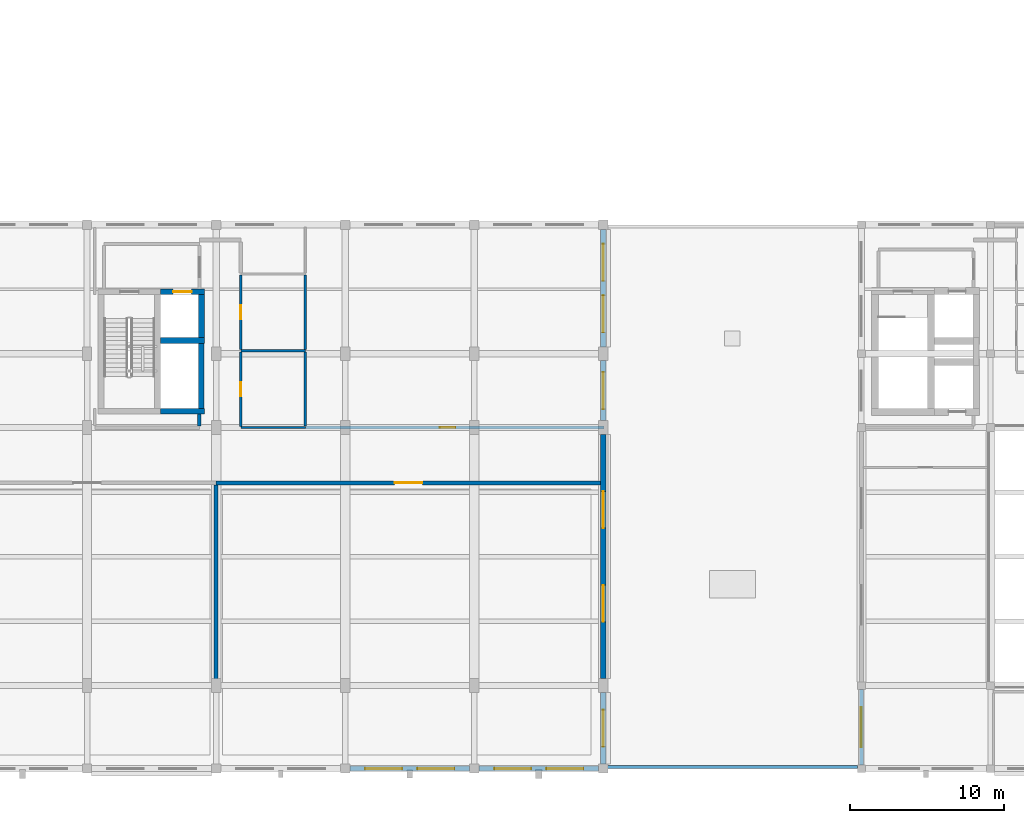
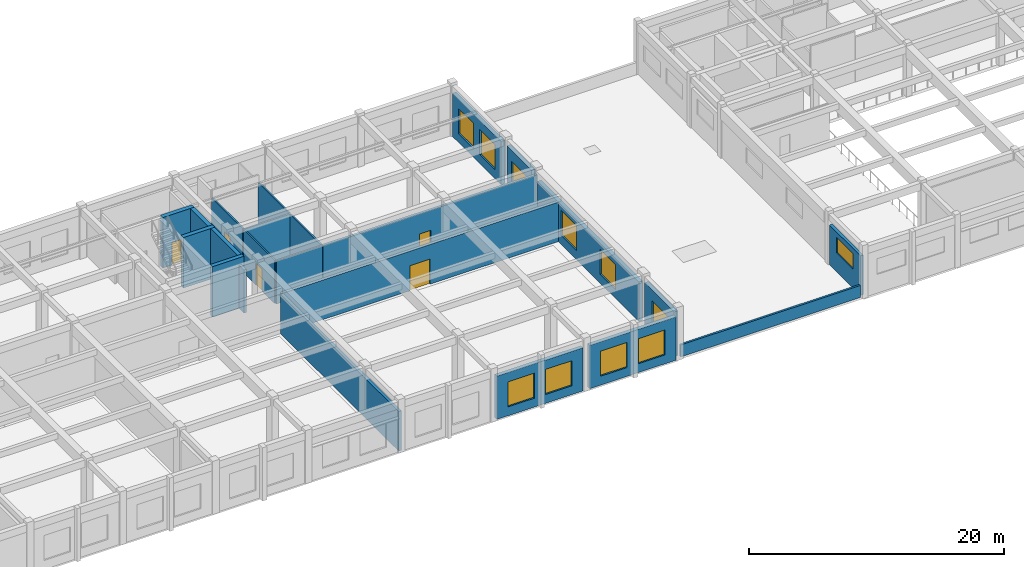
# One storey, part 59 of 77: 23 walls, 11 windows, 5 doors, 16 openings.
"""IFC4 building model written with IfcOpenShell, lengths in metres."""

import ifcopenshell
import ifcopenshell.guid

model = None  # the IFC model being written
_history = None  # IfcOwnerHistory: only IFC2X3 demands one
_inside = {}  # id of a spatial element -> (the spatial element, [elements in it])
_under = {}  # id of a project, library or spatial element -> (it, [spatial elements below it])
_declared = {}  # id of a project -> (the project, [libraries it declares])
_typed = {}  # id of a type object -> (the type object, [elements of that type])
_made_of = {}  # id of a material, layer set ... -> (it, [elements and type objects made of it])


def new_model(schema):
    """Start an empty IFC model of exactly this schema.

    Asked for "IFC4X3", IfcOpenShell would pick the latest addendum, in which some entities
    have other attributes; the version numbers below select the first issue.
    IFC2X3 requires an IfcOwnerHistory on every rooted entity: one is made here for all.
    """
    global model, _history
    if schema == "IFC4X3":
        model = ifcopenshell.file(schema_version=(4, 3, 0, 0))
    else:
        model = ifcopenshell.file(schema=schema)
    _inside.clear()
    _under.clear()
    _declared.clear()
    _typed.clear()
    _made_of.clear()
    _history = None
    if model.schema == "IFC2X3":
        org = make("IfcOrganization", Name="unknown")
        user = make(
            "IfcPersonAndOrganization",
            ThePerson=make("IfcPerson", FamilyName="unknown"),
            TheOrganization=org,
        )
        app = make(
            "IfcApplication",
            ApplicationDeveloper=org,
            Version="unknown",
            ApplicationFullName="unknown",
            ApplicationIdentifier="unknown",
        )
        _history = make(
            "IfcOwnerHistory",
            OwningUser=user,
            OwningApplication=app,
            ChangeAction="ADDED",
            CreationDate=0,
        )
    return model


def make(cls, **values):
    """One entity of the class cls with the attributes given. An attribute that is None is left unset."""
    return model.create_entity(
        cls, **{name: value for name, value in values.items() if value is not None}
    )


def rooted(cls, **values):
    """An entity with a GlobalId (a new one), such as an element, a storey or a relation."""
    return make(cls, GlobalId=ifcopenshell.guid.new(), OwnerHistory=_history, **values)


def si_unit(unit_type, name, prefix=None):
    """IfcSIUnit, for example si_unit("LENGTHUNIT", "METRE", prefix="MILLI")."""
    return make("IfcSIUnit", UnitType=unit_type, Prefix=prefix, Name=name)


def assignment(units):
    """IfcUnitAssignment: the units of a project."""
    return None if units is None else make("IfcUnitAssignment", Units=units)


def point(xyz):
    """IfcCartesianPoint."""
    return None if xyz is None else make("IfcCartesianPoint", Coordinates=xyz)


def direction(xyz):
    """IfcDirection."""
    return None if xyz is None else make("IfcDirection", DirectionRatios=xyz)


def frame(location, z_axis=None, x_axis=None):
    """IfcAxis2Placement3D, a coordinate frame: its origin and axes. An axis left out is left unset."""
    return make(
        "IfcAxis2Placement3D",
        Location=point(location),
        Axis=direction(z_axis),
        RefDirection=direction(x_axis),
    )


def frame_2d(location, x_axis=None):
    """IfcAxis2Placement2D, a coordinate frame in the plane: its origin and x axis."""
    return make(
        "IfcAxis2Placement2D", Location=point(location), RefDirection=direction(x_axis)
    )


def origin():
    """The frame at (0, 0, 0) with its axes left unset."""
    return frame((0.0, 0.0, 0.0))


def place(relative_to, where):
    """IfcLocalPlacement: puts the frame where relative to a parent placement (None: the world)."""
    return make(
        "IfcLocalPlacement", PlacementRelTo=relative_to, RelativePlacement=where
    )


def context(
    kind, dimensions, precision=None, world=None, true_north=None, identifier=None
):
    """IfcGeometricRepresentationContext, for example the 3D "Model" context."""
    return make(
        "IfcGeometricRepresentationContext",
        ContextIdentifier=identifier,
        ContextType=kind,
        CoordinateSpaceDimension=dimensions,
        Precision=precision,
        WorldCoordinateSystem=world,
        TrueNorth=true_north,
    )


def subcontext(parent, identifier, kind, view, scale=None):
    """IfcGeometricRepresentationSubContext, for example "Body" below "Model"."""
    return make(
        "IfcGeometricRepresentationSubContext",
        ContextIdentifier=identifier,
        ContextType=kind,
        ParentContext=parent,
        TargetScale=scale,
        TargetView=view,
    )


def project(units=None, contexts=None):
    """IfcProject with its units and contexts."""
    return rooted(
        "IfcProject",
        Name="project",
        RepresentationContexts=contexts,
        UnitsInContext=assignment(units),
    )


def spatial(cls, under=None, at=None, **own):
    """A site, building, storey or space (cls), placed at a placement, below another one or the project."""
    s = rooted(cls, ObjectPlacement=at, **own)
    if under is not None:
        _under.setdefault(under.id(), (under, []))[1].append(s)
    return s


def profile(cls, at=None, kind="AREA", **sizes):
    """A parametric profile (cls). Its sizes go by their IFC names, for example OverallWidth=200.0."""
    return make(cls, ProfileType=kind, Position=at, **sizes)


def rectangle(**sizes):
    """IfcRectangleProfileDef."""
    return profile("IfcRectangleProfileDef", **sizes)


def extrude(swept, where, along, depth):
    """IfcExtrudedAreaSolid: the profile swept, set in the frame where, extruded along a direction by depth."""
    return make(
        "IfcExtrudedAreaSolid",
        SweptArea=swept,
        Position=where,
        ExtrudedDirection=direction(along),
        Depth=depth,
    )


def shape(context_of_items, identifier, shape_type, items):
    """IfcShapeRepresentation: the items that make up one representation, for example the "Body"."""
    return make(
        "IfcShapeRepresentation",
        ContextOfItems=context_of_items,
        RepresentationIdentifier=identifier,
        RepresentationType=shape_type,
        Items=items,
    )


def material(Name=None, Category=None):
    """IfcMaterial."""
    return make("IfcMaterial", Name=Name, Category=Category)


def layer(
    of_material, thickness, ventilated=None, Name=None, Category=None, Priority=None
):
    """IfcMaterialLayer: one layer of a wall or slab, of a material (None: an air gap)."""
    return make(
        "IfcMaterialLayer",
        Material=of_material,
        LayerThickness=thickness,
        IsVentilated=ventilated,
        Name=Name,
        Category=Category,
        Priority=Priority,
    )


def layer_set(layers, Name=None):
    """IfcMaterialLayerSet."""
    return make("IfcMaterialLayerSet", MaterialLayers=layers, LayerSetName=Name)


def made_of(thing, what):
    """Note that an element or type object is made of a material, layer set ...; save() writes the relation."""
    if what is not None:
        _made_of.setdefault(what.id(), (what, []))[1].append(thing)
    return thing


def type_object(cls, material=None, **own):
    """A type object (cls), such as IfcWallType, which elements share."""
    return made_of(rooted(cls, **own), material)


def element(
    cls,
    number,
    at=None,
    inside=None,
    cuts=None,
    type_object=None,
    material=None,
    context=None,
    identifier="Body",
    shape_type=None,
    held_by="IfcProductDefinitionShape",
    body=None,
    shapes=None,
    **own,
):
    """One element of the class cls, such as IfcWall. Its Tag is "e" and its number.

    at: its placement. inside: the storey or other place that contains it. cuts: it is an
    opening in that element (IfcRelVoidsElement). A single representation is given by context,
    identifier, shape_type and body (its items); several are given by shapes. held_by: the class
    of the entity that holds the representations. save() writes the other relations.
    """
    e = rooted(cls, Tag="e%d" % number, ObjectPlacement=at, **own)
    if body is not None:
        shapes = [shape(context, identifier, shape_type, body)]
    if shapes is not None:
        e.Representation = make(held_by, Representations=shapes)
    if inside is not None:
        _inside.setdefault(inside.id(), (inside, []))[1].append(e)
    if cuts is not None:
        rooted(
            "IfcRelVoidsElement", RelatingBuildingElement=cuts, RelatedOpeningElement=e
        )
    if type_object is not None:
        _typed.setdefault(type_object.id(), (type_object, []))[1].append(e)
    return made_of(e, material)


def fill(opening, filler):
    """IfcRelFillsElement: the door or window that sits in an opening."""
    return rooted(
        "IfcRelFillsElement",
        RelatingOpeningElement=opening,
        RelatedBuildingElement=filler,
    )


def aggregate(whole, parts):
    """IfcRelAggregates: a whole, such as a stair, and the parts it consists of."""
    return rooted("IfcRelAggregates", RelatingObject=whole, RelatedObjects=parts)


def save(model, path):
    """Write the relations noted so far, then the file.

    IfcRelAggregates (storeys below a building ...), IfcRelContainedInSpatialStructure (elements
    in a storey), IfcRelDefinesByType, IfcRelAssociatesMaterial and IfcRelDeclares: one each for
    every whole, place, type object, material and project.
    """
    for whole, parts in _under.values():
        aggregate(whole, parts)
    for where, things in _inside.values():
        rooted(
            "IfcRelContainedInSpatialStructure",
            RelatedElements=things,
            RelatingStructure=where,
        )
    for kind, things in _typed.values():
        rooted("IfcRelDefinesByType", RelatedObjects=things, RelatingType=kind)
    for what, things in _made_of.values():
        rooted("IfcRelAssociatesMaterial", RelatedObjects=things, RelatingMaterial=what)
    for by, libraries in _declared.values():
        rooted("IfcRelDeclares", RelatingContext=by, RelatedDefinitions=libraries)
    model.write(path)


model = new_model("IFC4")

# Units and contexts
model_context = context("Model", 3, precision=1e-05, world=origin(), true_north=direction((0.0, 1.0)))
body_context = subcontext(model_context, "Body", "Model", "MODEL_VIEW")
ifc_project = project(units=[si_unit("LENGTHUNIT", "METRE"), si_unit("AREAUNIT", "SQUARE_METRE"), si_unit("VOLUMEUNIT", "CUBIC_METRE"), si_unit("PLANEANGLEUNIT", "RADIAN"), si_unit("MASSUNIT", "GRAM", prefix="KILO")], contexts=[model_context])

# Site, building, storey
site_placement = place(None, origin())
site = spatial("IfcSite", under=ifc_project, at=site_placement, CompositionType="ELEMENT")
building_placement = place(site_placement, origin())
building = spatial("IfcBuilding", under=site, at=building_placement, Name="Krzemoval Escarpment Law Courts", CompositionType="ELEMENT")
storey_placement = place(building_placement, frame((0.0, 0.0, 15.300048828125)))
storey = spatial("IfcBuildingStorey", under=building, at=storey_placement, Name="L03", CompositionType="ELEMENT", Elevation=15.300048828125)

# Wall, opening, window
ifc_material_1 = material(Name="Precast concrete C40/50", Category="concrete")
ifc_layer_1 = layer(ifc_material_1, 0.260009765625)
ifc_layer_set_1 = layer_set([ifc_layer_1], Name="Precast concrete C40/50")
wall_type_1 = type_object("IfcWallType", Name="WL-EXT-260", PredefinedType="SOLIDWALL", material=ifc_layer_set_1)
wall_1_placement = place(storey_placement, frame((109.199951171875, 0.25, 0.0), z_axis=(0.0, 0.0, 1.0), x_axis=(0.0, 1.0, 0.0)))
wall_1 = element("IfcWall", 1, at=wall_1_placement, inside=storey, type_object=wall_type_1, Name="Exterior Wall EW-L03-0369", PredefinedType="SOLIDWALL", context=body_context, shape_type="SweptSolid", body=[
    extrude(rectangle(XDim=4.89990234375, YDim=0.260009765625, at=frame_2d((2.449951171875, 0.0))), origin(), (0.0, 0.0, 1.0), 3.7900390625),
])
opening_1_placement = place(wall_1_placement, frame((1.14990234375, 0.0, 1.800048828125)))
opening_1 = element("IfcOpeningElement", 2, at=opening_1_placement, cuts=wall_1, Name="Opening WN-L03-0422", PredefinedType="OPENING", context=body_context, shape_type="SweptSolid", body=[
    extrude(rectangle(XDim=2.60009765625, YDim=1.5, at=frame_2d((1.300048828125, 0.75))), frame((0.0, 0.145, 0.0), z_axis=(0.0, -1.0, 0.0), x_axis=(1.0, 0.0, 0.0)), (0.0, 0.0, 1.0), 0.29001),
])
ifc_material_2 = material(Name="Thermally Broken Aluminium Frame with Triple Low-E Acoustic Glass", Category="aluminium")
window_type_1 = type_object("IfcWindowType", Name="WN-2600x1500", PartitioningType="SINGLE_PANEL", PredefinedType="WINDOW", material=ifc_material_2)
window_1_placement = place(opening_1_placement, origin())
window_1 = element("IfcWindow", 3, at=window_1_placement, inside=storey, type_object=window_type_1, Name="Facade Window WN-L03-0422", OverallHeight=1.5, OverallWidth=2.60009765625, PartitioningType="SINGLE_PANEL", PredefinedType="WINDOW", context=body_context, shape_type="SweptSolid", body=[
    extrude(rectangle(XDim=2.60009765625, YDim=1.5, at=frame_2d((1.300048828125, 0.75))), frame((0.0, 0.030029296875, 0.0), z_axis=(0.0, -1.0, 0.0), x_axis=(1.0, 0.0, 0.0)), (0.0, 0.0, 1.0), 0.06005859375),
])
fill(opening_1, window_1)

# Wall, openings, windows
ifc_material_3 = material(Name="Precast concrete C40/50", Category="concrete")
ifc_layer_2 = layer(ifc_material_3, 0.340087890625)
ifc_layer_set_2 = layer_set([ifc_layer_2], Name="Precast concrete C40/50")
wall_type_2 = type_object("IfcWallType", Name="WL-EXT-340", PredefinedType="SOLIDWALL", material=ifc_layer_set_2)
wall_2_placement = place(storey_placement, frame((92.39990234375, 35.10009765625, 0.0), z_axis=(0.0, 0.0, 1.0), x_axis=(0.0, -1.0, 0.0)))
wall_2 = element("IfcWall", 4, at=wall_2_placement, inside=storey, type_object=wall_type_2, Name="Exterior Wall EW-L03-0341", PredefinedType="SOLIDWALL", context=body_context, shape_type="SweptSolid", body=[
    extrude(rectangle(XDim=7.650146484375, YDim=0.340087890625, at=frame_2d((3.8251953125, 0.0))), origin(), (0.0, 0.0, 1.0), 4.139892578125),
])
opening_2_placement = place(wall_2_placement, frame((0.949951171875, 0.0, 0.85009765625)))
opening_2 = element("IfcOpeningElement", 5, at=opening_2_placement, cuts=wall_2, Name="Opening WN-L03-0376", PredefinedType="OPENING", context=body_context, shape_type="SweptSolid", body=[
    extrude(rectangle(XDim=2.39990234375, YDim=2.39990234375, at=frame_2d((1.199951171875, 1.199951171875))), frame((0.0, 0.18504, 0.0), z_axis=(0.0, -1.0, 0.0), x_axis=(1.0, 0.0, 0.0)), (0.0, 0.0, 1.0), 0.37009),
])
opening_3_placement = place(wall_2_placement, frame((4.300048828125, 0.0, 0.85009765625)))
opening_3 = element("IfcOpeningElement", 6, at=opening_3_placement, cuts=wall_2, Name="Opening WN-L03-0377", PredefinedType="OPENING", context=body_context, shape_type="SweptSolid", body=[
    extrude(rectangle(XDim=2.39990234375, YDim=2.39990234375, at=frame_2d((1.199951171875, 1.199951171875))), frame((0.0, 0.18504, 0.0), z_axis=(0.0, -1.0, 0.0), x_axis=(1.0, 0.0, 0.0)), (0.0, 0.0, 1.0), 0.37009),
])
ifc_material_4 = material(Name="Thermally Broken Aluminium Frame with Triple Low-E Acoustic Glass", Category="aluminium")
window_type_2 = type_object("IfcWindowType", Name="WN-2400x2400", PartitioningType="SINGLE_PANEL", PredefinedType="WINDOW", material=ifc_material_4)
window_2_placement = place(opening_2_placement, origin())
window_2 = element("IfcWindow", 7, at=window_2_placement, inside=storey, type_object=window_type_2, Name="Facade Window WN-L03-0376", OverallHeight=2.39990234375, OverallWidth=2.39990234375, PartitioningType="SINGLE_PANEL", PredefinedType="WINDOW", context=body_context, shape_type="SweptSolid", body=[
    extrude(rectangle(XDim=2.39990234375, YDim=2.39990234375, at=frame_2d((1.199951171875, 1.199951171875))), frame((0.0, 0.030029296875, 0.0), z_axis=(0.0, -1.0, 0.0), x_axis=(1.0, 0.0, 0.0)), (0.0, 0.0, 1.0), 0.06005859375),
])
fill(opening_2, window_2)
window_3_placement = place(opening_3_placement, origin())
window_3 = element("IfcWindow", 8, at=window_3_placement, inside=storey, type_object=window_type_2, Name="Facade Window WN-L03-0377", OverallHeight=2.39990234375, OverallWidth=2.39990234375, PartitioningType="SINGLE_PANEL", PredefinedType="WINDOW", context=body_context, shape_type="SweptSolid", body=[
    extrude(rectangle(XDim=2.39990234375, YDim=2.39990234375, at=frame_2d((1.199951171875, 1.199951171875))), frame((0.0, 0.030029296875, 0.0), z_axis=(0.0, -1.0, 0.0), x_axis=(1.0, 0.0, 0.0)), (0.0, 0.0, 1.0), 0.06005859375),
])
fill(opening_3, window_3)

# Wall, opening, window
wall_3_placement = place(storey_placement, frame((92.39990234375, 26.550048828125, 0.0), z_axis=(0.0, 0.0, 1.0), x_axis=(0.0, -1.0, 0.0)))
wall_3 = element("IfcWall", 9, at=wall_3_placement, inside=storey, type_object=wall_type_2, Name="Exterior Wall EW-L03-0342", PredefinedType="SOLIDWALL", context=body_context, shape_type="SweptSolid", body=[
    extrude(rectangle(XDim=3.900146484375, YDim=0.340087890625, at=frame_2d((1.9501953125, 0.0))), origin(), (0.0, 0.0, 1.0), 4.2900390625),
])
opening_4_placement = place(wall_3_placement, frame((0.75, 0.0, 0.85009765625)))
opening_4 = element("IfcOpeningElement", 10, at=opening_4_placement, cuts=wall_3, Name="Opening WN-L03-0378", PredefinedType="OPENING", context=body_context, shape_type="SweptSolid", body=[
    extrude(rectangle(XDim=2.39990234375, YDim=2.39990234375, at=frame_2d((1.199951171875, 1.199951171875))), frame((0.0, 0.18504, 0.0), z_axis=(0.0, -1.0, 0.0), x_axis=(1.0, 0.0, 0.0)), (0.0, 0.0, 1.0), 0.37009),
])
window_4_placement = place(opening_4_placement, origin())
window_4 = element("IfcWindow", 11, at=window_4_placement, inside=storey, type_object=window_type_2, Name="Facade Window WN-L03-0378", OverallHeight=2.39990234375, OverallWidth=2.39990234375, PartitioningType="SINGLE_PANEL", PredefinedType="WINDOW", context=body_context, shape_type="SweptSolid", body=[
    extrude(rectangle(XDim=2.39990234375, YDim=2.39990234375, at=frame_2d((1.199951171875, 1.199951171875))), frame((0.0, 0.030029296875, 0.0), z_axis=(0.0, -1.0, 0.0), x_axis=(1.0, 0.0, 0.0)), (0.0, 0.0, 1.0), 0.06005859375),
])
fill(opening_4, window_4)

# Wall, openings, windows
wall_4_placement = place(storey_placement, frame((92.39990234375, 21.75, 0.0), z_axis=(0.0, 0.0, 1.0), x_axis=(0.0, -1.0, 0.0)))
wall_4 = element("IfcWall", 12, at=wall_4_placement, inside=storey, type_object=wall_type_2, Name="Exterior Wall EW-L03-0343", PredefinedType="SOLIDWALL", context=body_context, shape_type="SweptSolid", body=[
    extrude(rectangle(XDim=15.89990234375, YDim=0.340087890625, at=frame_2d((7.949951171875, 0.0))), origin(), (0.0, 0.0, 1.0), 3.7900390625),
])
opening_5_placement = place(wall_4_placement, frame((3.699951171875, 0.0, 0.85009765625)))
opening_5 = element("IfcOpeningElement", 13, at=opening_5_placement, cuts=wall_4, Name="Opening WN-L03-0379", PredefinedType="OPENING", context=body_context, shape_type="SweptSolid", body=[
    extrude(rectangle(XDim=2.39990234375, YDim=2.39990234375, at=frame_2d((1.199951171875, 1.199951171875))), frame((0.0, 0.18504, 0.0), z_axis=(0.0, -1.0, 0.0), x_axis=(1.0, 0.0, 0.0)), (0.0, 0.0, 1.0), 0.37009),
])
opening_6_placement = place(wall_4_placement, frame((9.800048828125, 0.0, 0.85009765625)))
opening_6 = element("IfcOpeningElement", 14, at=opening_6_placement, cuts=wall_4, Name="Opening WN-L03-0380", PredefinedType="OPENING", context=body_context, shape_type="SweptSolid", body=[
    extrude(rectangle(XDim=2.39990234375, YDim=2.39990234375, at=frame_2d((1.199951171875, 1.199951171875))), frame((0.0, 0.18504, 0.0), z_axis=(0.0, -1.0, 0.0), x_axis=(1.0, 0.0, 0.0)), (0.0, 0.0, 1.0), 0.37009),
])
window_5_placement = place(opening_5_placement, origin())
window_5 = element("IfcWindow", 15, at=window_5_placement, inside=storey, type_object=window_type_2, Name="Facade Window WN-L03-0379", OverallHeight=2.39990234375, OverallWidth=2.39990234375, PartitioningType="SINGLE_PANEL", PredefinedType="WINDOW", context=body_context, shape_type="SweptSolid", body=[
    extrude(rectangle(XDim=2.39990234375, YDim=2.39990234375, at=frame_2d((1.199951171875, 1.199951171875))), frame((0.0, 0.030029296875, 0.0), z_axis=(0.0, -1.0, 0.0), x_axis=(1.0, 0.0, 0.0)), (0.0, 0.0, 1.0), 0.06005859375),
])
fill(opening_5, window_5)
window_6_placement = place(opening_6_placement, origin())
window_6 = element("IfcWindow", 16, at=window_6_placement, inside=storey, type_object=window_type_2, Name="Facade Window WN-L03-0380", OverallHeight=2.39990234375, OverallWidth=2.39990234375, PartitioningType="SINGLE_PANEL", PredefinedType="WINDOW", context=body_context, shape_type="SweptSolid", body=[
    extrude(rectangle(XDim=2.39990234375, YDim=2.39990234375, at=frame_2d((1.199951171875, 1.199951171875))), frame((0.0, 0.030029296875, 0.0), z_axis=(0.0, -1.0, 0.0), x_axis=(1.0, 0.0, 0.0)), (0.0, 0.0, 1.0), 0.06005859375),
])
fill(opening_6, window_6)

# Wall, opening, window
wall_5_placement = place(storey_placement, frame((92.39990234375, 4.949951171875, 0.0), z_axis=(0.0, 0.0, 1.0), x_axis=(0.0, -1.0, 0.0)))
wall_5 = element("IfcWall", 17, at=wall_5_placement, inside=storey, type_object=wall_type_2, Name="Exterior Wall EW-L03-0344", PredefinedType="SOLIDWALL", context=body_context, shape_type="SweptSolid", body=[
    extrude(rectangle(XDim=4.64990234375, YDim=0.340087890625, at=frame_2d((2.324951171875, 0.0))), origin(), (0.0, 0.0, 1.0), 4.2900390625),
])
opening_7_placement = place(wall_5_placement, frame((1.125, 0.0, 0.85009765625)))
opening_7 = element("IfcOpeningElement", 18, at=opening_7_placement, cuts=wall_5, Name="Opening WN-L03-0381", PredefinedType="OPENING", context=body_context, shape_type="SweptSolid", body=[
    extrude(rectangle(XDim=2.39990234375, YDim=2.39990234375, at=frame_2d((1.199951171875, 1.199951171875))), frame((0.0, 0.18504, 0.0), z_axis=(0.0, -1.0, 0.0), x_axis=(1.0, 0.0, 0.0)), (0.0, 0.0, 1.0), 0.37009),
])
window_7_placement = place(opening_7_placement, origin())
window_7 = element("IfcWindow", 19, at=window_7_placement, inside=storey, type_object=window_type_2, Name="Facade Window WN-L03-0381", OverallHeight=2.39990234375, OverallWidth=2.39990234375, PartitioningType="SINGLE_PANEL", PredefinedType="WINDOW", context=body_context, shape_type="SweptSolid", body=[
    extrude(rectangle(XDim=2.39990234375, YDim=2.39990234375, at=frame_2d((1.199951171875, 1.199951171875))), frame((0.0, 0.030029296875, 0.0), z_axis=(0.0, -1.0, 0.0), x_axis=(1.0, 0.0, 0.0)), (0.0, 0.0, 1.0), 0.06005859375),
])
fill(opening_7, window_7)

# Wall, openings, windows
wall_6_placement = place(storey_placement, frame((92.10009765625, 0.0, 0.0), z_axis=(0.0, 0.0, 1.0), x_axis=(-1.0, 0.0, 0.0)))
wall_6 = element("IfcWall", 20, at=wall_6_placement, inside=storey, type_object=wall_type_2, Name="Exterior Wall EW-L03-0345", PredefinedType="SOLIDWALL", context=body_context, shape_type="SweptSolid", body=[
    extrude(rectangle(XDim=7.800048828125, YDim=0.340087890625, at=frame_2d((3.89990234375, 0.0))), origin(), (0.0, 0.0, 1.0), 4.139892578125),
])
opening_8_placement = place(wall_6_placement, frame((1.0, 0.0, 0.85009765625)))
opening_8 = element("IfcOpeningElement", 21, at=opening_8_placement, cuts=wall_6, Name="Opening WN-L03-0382", PredefinedType="OPENING", context=body_context, shape_type="SweptSolid", body=[
    extrude(rectangle(XDim=2.39990234375, YDim=2.39990234375, at=frame_2d((1.199951171875, 1.199951171875))), frame((0.0, 0.18504, 0.0), z_axis=(0.0, -1.0, 0.0), x_axis=(1.0, 0.0, 0.0)), (0.0, 0.0, 1.0), 0.37009),
])
opening_9_placement = place(wall_6_placement, frame((4.39990234375, 0.0, 0.85009765625)))
opening_9 = element("IfcOpeningElement", 22, at=opening_9_placement, cuts=wall_6, Name="Opening WN-L03-0383", PredefinedType="OPENING", context=body_context, shape_type="SweptSolid", body=[
    extrude(rectangle(XDim=2.39990234375, YDim=2.39990234375, at=frame_2d((1.199951171875, 1.199951171875))), frame((0.0, 0.18504, 0.0), z_axis=(0.0, -1.0, 0.0), x_axis=(1.0, 0.0, 0.0)), (0.0, 0.0, 1.0), 0.37009),
])
window_8_placement = place(opening_8_placement, origin())
window_8 = element("IfcWindow", 23, at=window_8_placement, inside=storey, type_object=window_type_2, Name="Facade Window WN-L03-0382", OverallHeight=2.39990234375, OverallWidth=2.39990234375, PartitioningType="SINGLE_PANEL", PredefinedType="WINDOW", context=body_context, shape_type="SweptSolid", body=[
    extrude(rectangle(XDim=2.39990234375, YDim=2.39990234375, at=frame_2d((1.199951171875, 1.199951171875))), frame((0.0, 0.030029296875, 0.0), z_axis=(0.0, -1.0, 0.0), x_axis=(1.0, 0.0, 0.0)), (0.0, 0.0, 1.0), 0.06005859375),
])
fill(opening_8, window_8)
window_9_placement = place(opening_9_placement, origin())
window_9 = element("IfcWindow", 24, at=window_9_placement, inside=storey, type_object=window_type_2, Name="Facade Window WN-L03-0383", OverallHeight=2.39990234375, OverallWidth=2.39990234375, PartitioningType="SINGLE_PANEL", PredefinedType="WINDOW", context=body_context, shape_type="SweptSolid", body=[
    extrude(rectangle(XDim=2.39990234375, YDim=2.39990234375, at=frame_2d((1.199951171875, 1.199951171875))), frame((0.0, 0.030029296875, 0.0), z_axis=(0.0, -1.0, 0.0), x_axis=(1.0, 0.0, 0.0)), (0.0, 0.0, 1.0), 0.06005859375),
])
fill(opening_9, window_9)

wall_7_placement = place(storey_placement, frame((83.699951171875, 0.0, 0.0), z_axis=(0.0, 0.0, 1.0), x_axis=(-1.0, 0.0, 0.0)))
wall_7 = element("IfcWall", 25, at=wall_7_placement, inside=storey, type_object=wall_type_2, Name="Exterior Wall EW-L03-0346", PredefinedType="SOLIDWALL", context=body_context, shape_type="SweptSolid", body=[
    extrude(rectangle(XDim=7.800048828125, YDim=0.340087890625, at=frame_2d((3.89990234375, 0.0))), origin(), (0.0, 0.0, 1.0), 4.139892578125),
])
opening_10_placement = place(wall_7_placement, frame((1.0, 0.0, 0.85009765625)))
opening_10 = element("IfcOpeningElement", 26, at=opening_10_placement, cuts=wall_7, Name="Opening WN-L03-0384", PredefinedType="OPENING", context=body_context, shape_type="SweptSolid", body=[
    extrude(rectangle(XDim=2.39990234375, YDim=2.39990234375, at=frame_2d((1.199951171875, 1.199951171875))), frame((0.0, 0.18504, 0.0), z_axis=(0.0, -1.0, 0.0), x_axis=(1.0, 0.0, 0.0)), (0.0, 0.0, 1.0), 0.37009),
])
opening_11_placement = place(wall_7_placement, frame((4.39990234375, 0.0, 0.85009765625)))
opening_11 = element("IfcOpeningElement", 27, at=opening_11_placement, cuts=wall_7, Name="Opening WN-L03-0385", PredefinedType="OPENING", context=body_context, shape_type="SweptSolid", body=[
    extrude(rectangle(XDim=2.39990234375, YDim=2.39990234375, at=frame_2d((1.199951171875, 1.199951171875))), frame((0.0, 0.18504, 0.0), z_axis=(0.0, -1.0, 0.0), x_axis=(1.0, 0.0, 0.0)), (0.0, 0.0, 1.0), 0.37009),
])
window_10_placement = place(opening_10_placement, origin())
window_10 = element("IfcWindow", 28, at=window_10_placement, inside=storey, type_object=window_type_2, Name="Facade Window WN-L03-0384", OverallHeight=2.39990234375, OverallWidth=2.39990234375, PartitioningType="SINGLE_PANEL", PredefinedType="WINDOW", context=body_context, shape_type="SweptSolid", body=[
    extrude(rectangle(XDim=2.39990234375, YDim=2.39990234375, at=frame_2d((1.199951171875, 1.199951171875))), frame((0.0, 0.030029296875, 0.0), z_axis=(0.0, -1.0, 0.0), x_axis=(1.0, 0.0, 0.0)), (0.0, 0.0, 1.0), 0.06005859375),
])
fill(opening_10, window_10)
window_11_placement = place(opening_11_placement, origin())
window_11 = element("IfcWindow", 29, at=window_11_placement, inside=storey, type_object=window_type_2, Name="Facade Window WN-L03-0385", OverallHeight=2.39990234375, OverallWidth=2.39990234375, PartitioningType="SINGLE_PANEL", PredefinedType="WINDOW", context=body_context, shape_type="SweptSolid", body=[
    extrude(rectangle(XDim=2.39990234375, YDim=2.39990234375, at=frame_2d((1.199951171875, 1.199951171875))), frame((0.0, 0.030029296875, 0.0), z_axis=(0.0, -1.0, 0.0), x_axis=(1.0, 0.0, 0.0)), (0.0, 0.0, 1.0), 0.06005859375),
])
fill(opening_11, window_11)

# Walls
ifc_material_5 = material(Name="Precast concrete C40/50", Category="concrete")
ifc_layer_3 = layer(ifc_material_5, 0.179931640625)
ifc_layer_set_3 = layer_set([ifc_layer_3], Name="Precast concrete C40/50")
wall_type_3 = type_object("IfcWallType", Name="WL-PAR-180", PredefinedType="PARAPET", material=ifc_layer_set_3)
wall_8_placement = place(storey_placement, frame((92.64990234375, 0.110107421875, 0.0), z_axis=(0.0, 0.0, 1.0), x_axis=(1.0, 0.0, 0.0)))
element("IfcWall", 30, at=wall_8_placement, inside=storey, type_object=wall_type_3, Name="Roof Parapet PR-L03-017", PredefinedType="PARAPET", context=body_context, shape_type="SweptSolid", body=[
    extrude(rectangle(XDim=16.300048828125, YDim=0.179931640625, at=frame_2d((8.14990234375, 0.0))), origin(), (0.0, 0.0, 1.0), 1.14990234375),
])
ifc_material_6 = material(Name="Sanitary Moisture-Resistant Partition", Category="gypsum")
ifc_layer_4 = layer(ifc_material_6, 0.139892578125)
ifc_layer_set_4 = layer_set([ifc_layer_4], Name="Sanitary Moisture-Resistant Partition")
wall_type_4 = type_object("IfcWallType", Name="WL-PRT-140", PredefinedType="PARTITIONING", material=ifc_layer_set_4)
for number, where, z_axis, x_axis, name in (
    (31, (68.800048828125, 22.199951171875, 0.0), (0.0, 0.0, 1.0), (1.0, 0.0, 0.0), "Interior Partition PW-L03-0491"),
    (32, (68.800048828125, 27.199951171875, 0.0), (0.0, 0.0, 1.0), (1.0, 0.0, 0.0), "Interior Partition PW-L03-0498"),
):
    element("IfcWall", number, at=place(storey_placement, frame(where, z_axis=z_axis, x_axis=x_axis)), inside=storey, type_object=wall_type_4, Name=name, PredefinedType="PARTITIONING", context=body_context, shape_type="SweptSolid", body=[
        extrude(rectangle(XDim=4.199951171875, YDim=0.139892578125, at=frame_2d((2.10009765625, 0.0))), origin(), (0.0, 0.0, 1.0), 4.139892578125),
    ])

# Wall, opening, door
wall_9_placement = place(storey_placement, frame((68.800048828125, 22.27197265625, 0.0), z_axis=(0.0, 0.0, 1.0), x_axis=(0.0, 1.0, 0.0)))
wall_9 = element("IfcWall", 33, at=wall_9_placement, inside=storey, type_object=wall_type_4, Name="Interior Partition PW-L03-0563", PredefinedType="PARTITIONING", context=body_context, shape_type="SweptSolid", body=[
    extrude(rectangle(XDim=4.85595703125, YDim=0.139892578125, at=frame_2d((2.427978515625, 0.0))), origin(), (0.0, 0.0, 1.0), 4.139892578125),
])
opening_12_placement = place(wall_9_placement, frame((1.97802734375, 0.0, 0.0)))
opening_12 = element("IfcOpeningElement", 34, at=opening_12_placement, cuts=wall_9, Name="Opening D-L03-0181", PredefinedType="OPENING", context=body_context, shape_type="SweptSolid", body=[
    extrude(rectangle(XDim=0.89990234375, YDim=2.10009765625, at=frame_2d((0.449951171875, 1.050048828125))), frame((0.0, 0.08495, 0.0), z_axis=(0.0, -1.0, 0.0), x_axis=(1.0, 0.0, 0.0)), (0.0, 0.0, 1.0), 0.16989),
])
ifc_material_7 = material(Name="Engineered Solid-Core Oak Acoustic Timber", Category="wood")
door_type_1 = type_object("IfcDoorType", Name="DR-INT-900x2100", OperationType="SINGLE_SWING_LEFT", PredefinedType="DOOR", material=ifc_material_7)
door_1_placement = place(opening_12_placement, origin())
door_1 = element("IfcDoor", 35, at=door_1_placement, inside=storey, type_object=door_type_1, Name="Room Door D-L03-0181", OperationType="SINGLE_SWING_LEFT", OverallHeight=2.10009765625, OverallWidth=0.89990234375, PredefinedType="DOOR", context=body_context, shape_type="SweptSolid", body=[
    extrude(rectangle(XDim=0.89990234375, YDim=2.10009765625, at=frame_2d((0.449951171875, 1.050048828125))), frame((0.0, 0.02490234375, 0.0), z_axis=(0.0, -1.0, 0.0), x_axis=(1.0, 0.0, 0.0)), (0.0, 0.0, 1.0), 0.050048828125),
])
fill(opening_12, door_1)

wall_10_placement = place(storey_placement, frame((68.800048828125, 27.27197265625, 0.0), z_axis=(0.0, 0.0, 1.0), x_axis=(0.0, 1.0, 0.0)))
wall_10 = element("IfcWall", 36, at=wall_10_placement, inside=storey, type_object=wall_type_4, Name="Interior Partition PW-L03-0564", PredefinedType="PARTITIONING", context=body_context, shape_type="SweptSolid", body=[
    extrude(rectangle(XDim=4.85595703125, YDim=0.139892578125, at=frame_2d((2.427978515625, 0.0))), origin(), (0.0, 0.0, 1.0), 4.139892578125),
])
opening_13_placement = place(wall_10_placement, frame((1.97802734375, 0.0, 0.0)))
opening_13 = element("IfcOpeningElement", 37, at=opening_13_placement, cuts=wall_10, Name="Opening D-L03-0182", PredefinedType="OPENING", context=body_context, shape_type="SweptSolid", body=[
    extrude(rectangle(XDim=0.89990234375, YDim=2.10009765625, at=frame_2d((0.449951171875, 1.050048828125))), frame((0.0, 0.08495, 0.0), z_axis=(0.0, -1.0, 0.0), x_axis=(1.0, 0.0, 0.0)), (0.0, 0.0, 1.0), 0.16989),
])
door_2_placement = place(opening_13_placement, origin())
door_2 = element("IfcDoor", 38, at=door_2_placement, inside=storey, type_object=door_type_1, Name="Room Door D-L03-0182", OperationType="SINGLE_SWING_RIGHT", OverallHeight=2.10009765625, OverallWidth=0.89990234375, PredefinedType="DOOR", context=body_context, shape_type="SweptSolid", body=[
    extrude(rectangle(XDim=0.89990234375, YDim=2.10009765625, at=frame_2d((0.449951171875, 1.050048828125))), frame((0.0, 0.02490234375, 0.0), z_axis=(0.0, -1.0, 0.0), x_axis=(1.0, 0.0, 0.0)), (0.0, 0.0, 1.0), 0.050048828125),
])
fill(opening_13, door_2)

# Walls
wall_11_placement = place(storey_placement, frame((73.0, 22.31201171875, 0.0), z_axis=(0.0, 0.0, 1.0), x_axis=(0.0, 1.0, 0.0)))
element("IfcWall", 39, at=wall_11_placement, inside=storey, type_object=wall_type_4, Name="Interior Partition PW-L03-0565", PredefinedType="PARTITIONING", context=body_context, shape_type="SweptSolid", body=[
    extrude(rectangle(XDim=4.81591796875, YDim=0.139892578125, at=frame_2d((2.407958984375, 0.0))), origin(), (0.0, 0.0, 1.0), 4.139892578125),
])
wall_12_placement = place(storey_placement, frame((73.0, 27.27197265625, 0.0), z_axis=(0.0, 0.0, 1.0), x_axis=(0.0, 1.0, 0.0)))
element("IfcWall", 40, at=wall_12_placement, inside=storey, type_object=wall_type_4, Name="Interior Partition PW-L03-0566", PredefinedType="PARTITIONING", context=body_context, shape_type="SweptSolid", body=[
    extrude(rectangle(XDim=4.85595703125, YDim=0.139892578125, at=frame_2d((2.427978515625, 0.0))), origin(), (0.0, 0.0, 1.0), 4.139892578125),
])

# Wall, opening, door
ifc_material_8 = material(Name="Solid Calcium-Silicate Custody Blockwork Partition", Category="masonry")
ifc_layer_5 = layer(ifc_material_8, 0.219970703125)
ifc_layer_set_5 = layer_set([ifc_layer_5], Name="Solid Calcium-Silicate Custody Blockwork Partition")
wall_type_5 = type_object("IfcWallType", Name="WL-PRT-220", PredefinedType="PARTITIONING", material=ifc_layer_set_5)
wall_13_placement = place(storey_placement, frame((73.0, 22.199951171875, 0.0), z_axis=(0.0, 0.0, 1.0), x_axis=(1.0, 0.0, 0.0)))
wall_13 = element("IfcWall", 41, at=wall_13_placement, inside=storey, type_object=wall_type_5, Name="Interior Partition PW-L03-0492", PredefinedType="PARTITIONING", context=body_context, shape_type="SweptSolid", body=[
    extrude(rectangle(XDim=19.43701171875, YDim=0.219970703125, at=frame_2d((9.718505859375, 0.0))), origin(), (0.0, 0.0, 1.0), 4.139892578125),
])
opening_14_placement = place(wall_13_placement, frame((8.76806640625, 0.0, 0.0)))
opening_14 = element("IfcOpeningElement", 42, at=opening_14_placement, cuts=wall_13, Name="Opening D-L03-0183", PredefinedType="OPENING", context=body_context, shape_type="SweptSolid", body=[
    extrude(rectangle(XDim=1.0, YDim=2.199951171875, at=frame_2d((0.5, 1.10009765625))), frame((0.0, 0.12499, 0.0), z_axis=(0.0, -1.0, 0.0), x_axis=(1.0, 0.0, 0.0)), (0.0, 0.0, 1.0), 0.24997),
])
ifc_material_9 = material(Name="Engineered Solid-Core Oak Acoustic Timber", Category="wood")
door_type_2 = type_object("IfcDoorType", Name="DR-INT-1000x2200", OperationType="SINGLE_SWING_LEFT", PredefinedType="DOOR", material=ifc_material_9)
door_3_placement = place(opening_14_placement, origin())
door_3 = element("IfcDoor", 43, at=door_3_placement, inside=storey, type_object=door_type_2, Name="Room Door D-L03-0183", OperationType="SINGLE_SWING_LEFT", OverallHeight=2.199951171875, OverallWidth=1.0, PredefinedType="DOOR", context=body_context, shape_type="SweptSolid", body=[
    extrude(rectangle(XDim=1.0, YDim=2.199951171875, at=frame_2d((0.5, 1.10009765625))), frame((0.0, 0.02490234375, 0.0), z_axis=(0.0, -1.0, 0.0), x_axis=(1.0, 0.0, 0.0)), (0.0, 0.0, 1.0), 0.050048828125),
])
fill(opening_14, door_3)

# Wall
ifc_material_10 = material(Name="Acoustic Calcium-Silicate Block Wall", Category="masonry")
ifc_layer_6 = layer(ifc_material_10, 0.22998046875)
ifc_layer_set_6 = layer_set([ifc_layer_6], Name="Acoustic Calcium-Silicate Block Wall")
wall_type_6 = type_object("IfcWallType", Name="WL-PRT-230", PredefinedType="SOLIDWALL", material=ifc_layer_set_6)
wall_14_placement = place(storey_placement, frame((66.10009765625, 22.31689453125, 0.0), z_axis=(0.0, 0.0, 1.0), x_axis=(0.0, 1.0, 0.0)))
element("IfcWall", 44, at=wall_14_placement, inside=storey, type_object=wall_type_6, Name="Interior Partition PW-L03-0560", PredefinedType="SOLIDWALL", context=body_context, shape_type="SweptSolid", body=[
    extrude(rectangle(XDim=0.76611328125, YDim=0.22998046875, at=frame_2d((0.383056640625, 0.0))), origin(), (0.0, 0.0, 1.0), 4.139892578125),
])

# Wall, opening, door
ifc_material_11 = material(Name="Acoustic Double-Stud Gypsum and Mineral Wool Wall", Category="gypsum")
ifc_layer_7 = layer(ifc_material_11, 0.260009765625)
ifc_layer_set_7 = layer_set([ifc_layer_7], Name="Acoustic Double-Stud Gypsum and Mineral Wool Wall")
wall_type_7 = type_object("IfcWallType", Name="WL-PRT-260", PredefinedType="PARTITIONING", material=ifc_layer_set_7)
wall_15_placement = place(storey_placement, frame((67.199951171875, 18.60009765625, 0.0), z_axis=(0.0, 0.0, 1.0), x_axis=(1.0, 0.0, 0.0)))
wall_15 = element("IfcWall", 45, at=wall_15_placement, inside=storey, type_object=wall_type_7, Name="Interior Partition PW-L03-0487", PredefinedType="PARTITIONING", context=body_context, shape_type="SweptSolid", body=[
    extrude(rectangle(XDim=25.028076171875, YDim=0.260009765625, at=frame_2d((12.51416015625, 0.0))), origin(), (0.0, 0.0, 1.0), 3.7900390625),
])
opening_15_placement = place(wall_15_placement, frame((11.614013671875, 0.0, 0.0)))
opening_15 = element("IfcOpeningElement", 46, at=opening_15_placement, cuts=wall_15, Name="Opening D-L03-0179", PredefinedType="OPENING", context=body_context, shape_type="SweptSolid", body=[
    extrude(rectangle(XDim=1.800048828125, YDim=2.39990234375, at=frame_2d((0.89990234375, 1.199951171875))), frame((0.0, 0.145, 0.0), z_axis=(0.0, -1.0, 0.0), x_axis=(1.0, 0.0, 0.0)), (0.0, 0.0, 1.0), 0.29001),
])
ifc_material_12 = material(Name="Engineered Solid-Core Oak Acoustic Timber", Category="wood")
door_type_3 = type_object("IfcDoorType", Name="DR-CRT-1800x2400", OperationType="SINGLE_SWING_LEFT", PredefinedType="DOOR", material=ifc_material_12)
door_4_placement = place(opening_15_placement, origin())
door_4 = element("IfcDoor", 47, at=door_4_placement, inside=storey, type_object=door_type_3, Name="Room Door D-L03-0179", OperationType="SINGLE_SWING_LEFT", OverallHeight=2.39990234375, OverallWidth=1.800048828125, PredefinedType="DOOR", context=body_context, shape_type="SweptSolid", body=[
    extrude(rectangle(XDim=1.800048828125, YDim=2.39990234375, at=frame_2d((0.89990234375, 1.199951171875))), frame((0.0, 0.02490234375, 0.0), z_axis=(0.0, -1.0, 0.0), x_axis=(1.0, 0.0, 0.0)), (0.0, 0.0, 1.0), 0.050048828125),
])
fill(opening_15, door_4)

# Walls
wall_16_placement = place(storey_placement, frame((67.199951171875, -0.06396484375, 0.0), z_axis=(0.0, 0.0, 1.0), x_axis=(0.0, 1.0, 0.0)))
element("IfcWall", 48, at=wall_16_placement, inside=storey, type_object=wall_type_7, Name="Interior Partition PW-L03-0561", PredefinedType="PARTITIONING", context=body_context, shape_type="SweptSolid", body=[
    extrude(rectangle(XDim=18.531982421875, YDim=0.260009765625, at=frame_2d((9.26611328125, 0.0))), origin(), (0.0, 0.0, 1.0), 3.7900390625),
])
ifc_material_13 = material(Name="Concrete C40/50", Category="concrete")
ifc_layer_8 = layer(ifc_material_13, 0.35009765625)
ifc_layer_set_8 = layer_set([ifc_layer_8], Name="Concrete C40/50")
wall_type_8 = type_object("IfcWallType", Name="WL-SHW-350", PredefinedType="SHEAR", material=ifc_layer_set_8)
wall_17_placement = place(storey_placement, frame((63.580078125, 23.260009765625, 0.0), z_axis=(0.0, 0.0, 1.0), x_axis=(1.0, 0.0, 0.0)))
element("IfcWall", 49, at=wall_17_placement, inside=storey, type_object=wall_type_8, Name="Riser Shaft Wall SW-L03-0494", PredefinedType="SHEAR", context=body_context, shape_type="SweptSolid", body=[
    extrude(rectangle(XDim=2.849853515625, YDim=0.35009765625, at=frame_2d((1.4248046875, 0.0))), origin(), (0.0, 0.0, 1.0), 4.83984375),
])
wall_18_placement = place(storey_placement, frame((66.239990234375, 23.429931640625, 0.0), z_axis=(0.0, 0.0, 1.0), x_axis=(0.0, 1.0, 0.0)))
element("IfcWall", 50, at=wall_18_placement, inside=storey, type_object=wall_type_8, Name="Riser Shaft Wall SW-L03-0495", PredefinedType="SHEAR", context=body_context, shape_type="SweptSolid", body=[
    extrude(rectangle(XDim=4.626953125, YDim=0.35009765625, at=frame_2d((2.3134765625, 0.0))), origin(), (0.0, 0.0, 1.0), 4.83984375),
])
ifc_material_14 = material(Name="Concrete C40/50", Category="concrete")
ifc_layer_9 = layer(ifc_material_14, 0.3798828125)
ifc_layer_set_9 = layer_set([ifc_layer_9], Name="Concrete C40/50")
wall_type_9 = type_object("IfcWallType", Name="WL-SHW-380", PredefinedType="SHEAR", material=ifc_layer_set_9)
wall_19_placement = place(storey_placement, frame((63.58203125, 27.860107421875, 0.0), z_axis=(0.0, 0.0, 1.0), x_axis=(1.0, 0.0, 0.0)))
element("IfcWall", 51, at=wall_19_placement, inside=storey, type_object=wall_type_9, Name="Lift Shaft Shear Wall SW-L03-0491", PredefinedType="SHEAR", context=body_context, shape_type="SweptSolid", body=[
    extrude(rectangle(XDim=2.847900390625, YDim=0.3798828125, at=frame_2d((1.423828125, 0.0))), origin(), (0.0, 0.0, 1.0), 4.83984375),
])

# Wall, opening, door
wall_20_placement = place(storey_placement, frame((63.580078125, 31.0400390625, 0.0), z_axis=(0.0, 0.0, 1.0), x_axis=(1.0, 0.0, 0.0)))
wall_20 = element("IfcWall", 52, at=wall_20_placement, inside=storey, type_object=wall_type_9, Name="Lift Shaft Shear Wall SW-L03-0492", PredefinedType="SHEAR", context=body_context, shape_type="SweptSolid", body=[
    extrude(rectangle(XDim=2.849853515625, YDim=0.3798828125, at=frame_2d((1.4248046875, 0.0))), origin(), (0.0, 0.0, 1.0), 4.83984375),
])
opening_16_placement = place(wall_20_placement, frame((0.824951171875, 0.0, 0.0)))
opening_16 = element("IfcOpeningElement", 53, at=opening_16_placement, cuts=wall_20, Name="Opening LD-PL3-L03", PredefinedType="OPENING", context=body_context, shape_type="SweptSolid", body=[
    extrude(rectangle(XDim=1.199951171875, YDim=2.14990234375, at=frame_2d((0.60009765625, 1.074951171875))), frame((0.0, 0.20494, 0.0), z_axis=(0.0, -1.0, 0.0), x_axis=(1.0, 0.0, 0.0)), (0.0, 0.0, 1.0), 0.40988),
])
ifc_material_15 = material(Name="Engineered Solid-Core Oak Acoustic Timber", Category="wood")
door_type_4 = type_object("IfcDoorType", Name="DR-LFT-1200x2150", OperationType="SINGLE_SWING_LEFT", PredefinedType="DOOR", material=ifc_material_15)
door_5_placement = place(opening_16_placement, origin())
door_5 = element("IfcDoor", 54, at=door_5_placement, inside=storey, type_object=door_type_4, Name="Lift Landing Door LD-PL3-L03", OperationType="DOUBLE_DOOR_SLIDING", OverallHeight=2.14990234375, OverallWidth=1.199951171875, PredefinedType="DOOR", context=body_context, shape_type="SweptSolid", body=[
    extrude(rectangle(XDim=1.199951171875, YDim=2.14990234375, at=frame_2d((0.60009765625, 1.074951171875))), frame((0.0, 0.02490234375, 0.0), z_axis=(0.0, -1.0, 0.0), x_axis=(1.0, 0.0, 0.0)), (0.0, 0.0, 1.0), 0.050048828125),
])
fill(opening_16, door_5)

# Wall
wall_21_placement = place(storey_placement, frame((66.239990234375, 28.052001953125, 0.0), z_axis=(0.0, 0.0, 1.0), x_axis=(0.0, 1.0, 0.0)))
element("IfcWall", 55, at=wall_21_placement, inside=storey, type_object=wall_type_9, Name="Lift Shaft Shear Wall SW-L03-0493", PredefinedType="SHEAR", context=body_context, shape_type="SweptSolid", body=[
    extrude(rectangle(XDim=2.7958984375, YDim=0.3798828125, at=frame_2d((1.39794921875, 0.0))), origin(), (0.0, 0.0, 1.0), 4.83984375),
])

save(model, "model.ifc")
